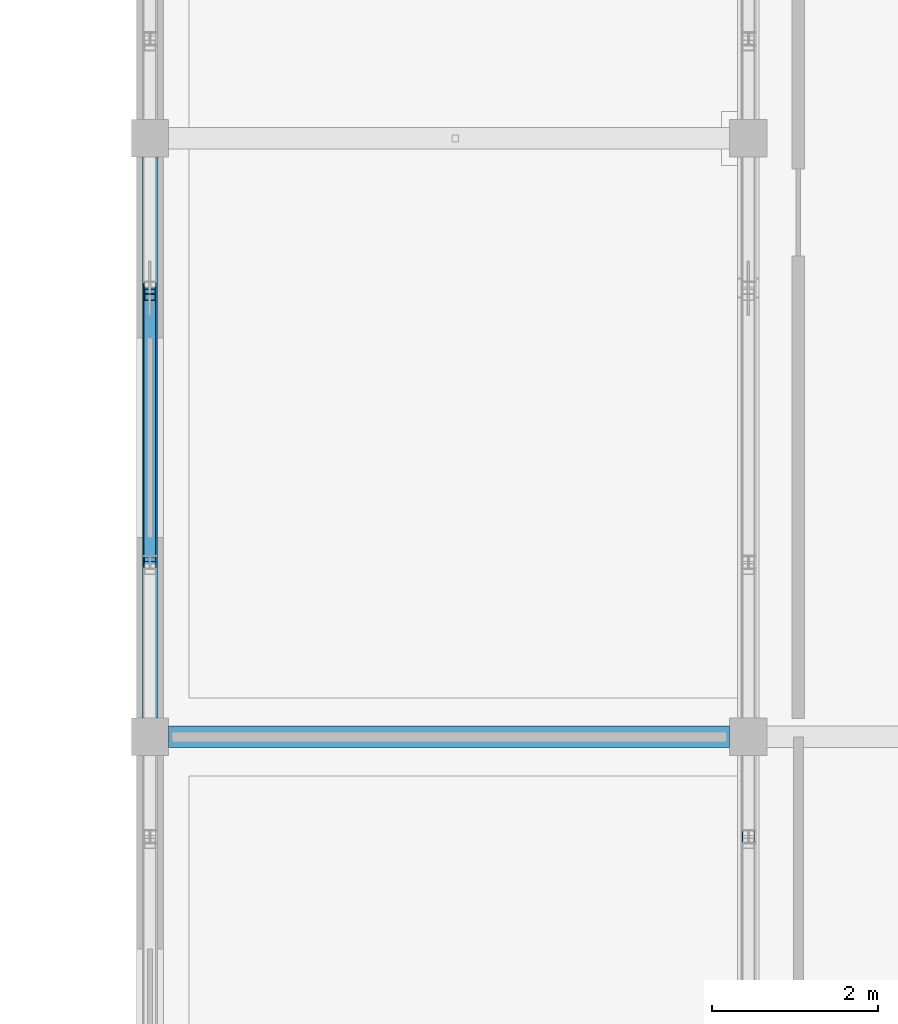
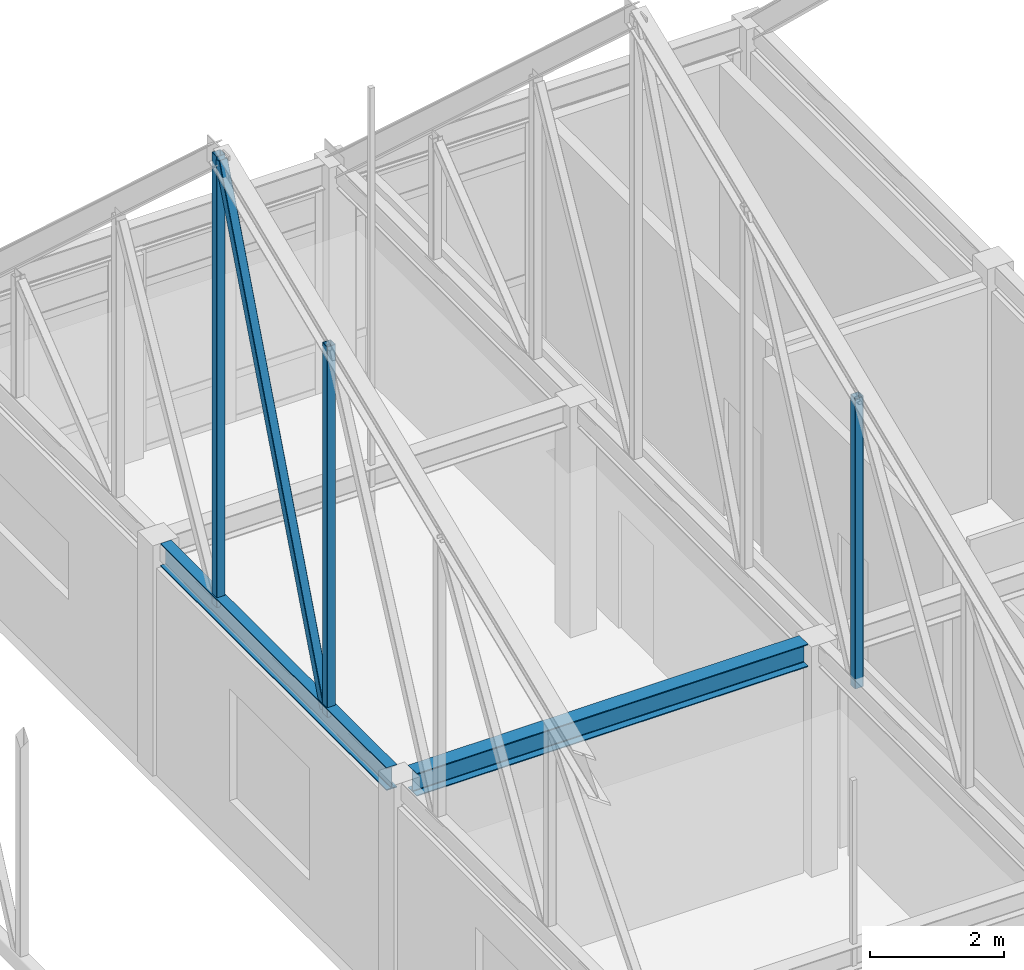
# One storey, part 35 of 136: 4 members, 2 beams.
"""IFC4 building model written with IfcOpenShell, lengths in metres."""

from ifc_helpers import new_model, si_unit, direction, frame, origin, origin_2d, place, context, subcontext, project, spatial, hollow_rectangle, i_section, extrude, material, material_profile, profile_set, type_object, element, save


model = new_model("IFC4")

# Units and contexts
model_context = context("Model", 3, precision=1e-05, world=origin(), true_north=direction((0.0, 1.0)))
body_context = subcontext(model_context, "Body", "Model", "MODEL_VIEW")
ifc_project = project(units=[si_unit("LENGTHUNIT", "METRE"), si_unit("AREAUNIT", "SQUARE_METRE"), si_unit("VOLUMEUNIT", "CUBIC_METRE"), si_unit("PLANEANGLEUNIT", "RADIAN"), si_unit("MASSUNIT", "GRAM", prefix="KILO")], contexts=[model_context])

# Site, building, storey
site_placement = place(None, origin())
site = spatial("IfcSite", under=ifc_project, at=site_placement, CompositionType="ELEMENT")
building_placement = place(site_placement, origin())
building = spatial("IfcBuilding", under=site, at=building_placement, Name="Koriwan Promenade Central Fire Station", CompositionType="ELEMENT")
storey_placement = place(building_placement, frame((0.0, 0.0, 5.39990234375)))
storey = spatial("IfcBuildingStorey", under=building, at=storey_placement, Name="L01", CompositionType="ELEMENT", Elevation=5.39990234375)

# Members
ifc_material_1 = material(Name="Steel ASTM A500 Grade C", Category="steel")
ifc_material_profile_1 = material_profile(ifc_material_1, hollow_rectangle(XDim=0.14990234375, YDim=0.14990234375, WallThickness=0.008056640625, InnerFilletRadius=0.008056640625, OuterFilletRadius=0.01611328125, at=origin_2d()), Name="HSS150x150x8")
ifc_profile_set_1 = profile_set([ifc_material_profile_1], Name="Steel ASTM A500 Grade C")
member_type = type_object("IfcMemberType", Name="Member_STRUT_HSS150x150x8", PredefinedType="STRUT", material=ifc_profile_set_1)
member_1_placement = place(storey_placement, frame((100.800048828125, 59.699951171875, 4.02001953125), z_axis=(0.0, 0.0, 1.0), x_axis=(1.0, 0.0, 0.0)))
element("IfcMember", 1, at=member_1_placement, inside=storey, type_object=member_type, Name="TR_V1_07 vertical 5", PredefinedType="STRUT", context=body_context, shape_type="SweptSolid", body=[
    extrude(hollow_rectangle(XDim=0.14990234375, YDim=0.14990234375, WallThickness=0.008056640625, InnerFilletRadius=0.008056640625, OuterFilletRadius=0.01611328125, at=origin_2d()), origin(), (0.0, 0.0, 1.0), 6.753662109375),
])
member_2_placement = place(storey_placement, frame((100.800048828125, 63.0, 4.02001953125), z_axis=(0.0, 0.0, 1.0), x_axis=(1.0, 0.0, 0.0)))
element("IfcMember", 2, at=member_2_placement, inside=storey, type_object=member_type, Name="TR_V1_07 vertical 6", PredefinedType="STRUT", context=body_context, shape_type="SweptSolid", body=[
    extrude(hollow_rectangle(XDim=0.14990234375, YDim=0.14990234375, WallThickness=0.008056640625, InnerFilletRadius=0.008056640625, OuterFilletRadius=0.01611328125, at=origin_2d()), origin(), (0.0, 0.0, 1.0), 8.220458984375),
])
member_3_placement = place(storey_placement, frame((100.800048828125, 59.780029296875, 4.070068359375), z_axis=(0.0, 0.360647144455, 0.932702330434), x_axis=(-1.0, 0.0, 0.0)))
element("IfcMember", 3, at=member_3_placement, inside=storey, type_object=member_type, Name="TR_V1_07 web diagonal 6", PredefinedType="STRUT", context=body_context, shape_type="SweptSolid", body=[
    extrude(hollow_rectangle(XDim=0.14990234375, YDim=0.14990234375, WallThickness=0.008056640625, InnerFilletRadius=0.008056640625, OuterFilletRadius=0.01611328125, at=origin_2d()), origin(), (0.0, 0.0, 1.0), 8.706298828125),
])
member_4_placement = place(storey_placement, frame((108.0, 56.39990234375, 4.02001953125), z_axis=(0.0, 0.0, 1.0), x_axis=(1.0, 0.0, 0.0)))
element("IfcMember", 4, at=member_4_placement, inside=storey, type_object=member_type, Name="TR_V1_08 vertical 4", PredefinedType="STRUT", context=body_context, shape_type="SweptSolid", body=[
    extrude(hollow_rectangle(XDim=0.14990234375, YDim=0.14990234375, WallThickness=0.008056640625, InnerFilletRadius=0.008056640625, OuterFilletRadius=0.01611328125, at=origin_2d()), origin(), (0.0, 0.0, 1.0), 5.287109375),
])

# Beams
ifc_material_2 = material(Name="Steel ASTM A992 Grade 50", Category="steel")
ifc_material_profile_2 = material_profile(ifc_material_2, i_section(OverallWidth=0.260009765625, OverallDepth=0.4150390625, WebThickness=0.010009765625, FlangeThickness=0.016845703125, FilletRadius=0.01611328125, at=origin_2d()), Name="W410x100")
ifc_profile_set_2 = profile_set([ifc_material_profile_2], Name="Steel ASTM A992 Grade 50")
beam_type_1 = type_object("IfcBeamType", Name="SteelBeam_W410x100", PredefinedType="BEAM", material=ifc_profile_set_2)
beam_1_placement = place(storey_placement, frame((101.02490234375, 57.60009765625, 3.99267578125), z_axis=(1.0, 0.0, 0.0), x_axis=(0.0, 1.0, 0.0)))
element("IfcBeam", 5, at=beam_1_placement, inside=storey, type_object=beam_type_1, Name="V1 L01 girder X-51", PredefinedType="BEAM", context=body_context, shape_type="SweptSolid", body=[
    extrude(i_section(OverallWidth=0.260009765625, OverallDepth=0.4150390625, WebThickness=0.010009765625, FlangeThickness=0.016845703125, FilletRadius=0.01611328125, at=origin_2d()), origin(), (0.0, 0.0, 1.0), 6.75),
])
ifc_material_profile_3 = material_profile(ifc_material_2, i_section(OverallWidth=0.180908203125, OverallDepth=0.4169921875, WebThickness=0.010986328125, FlangeThickness=0.018310546875, FilletRadius=0.01611328125, at=origin_2d()), Name="W410x85")
ifc_profile_set_3 = profile_set([ifc_material_profile_3], Name="Steel ASTM A992 Grade 50")
beam_type_2 = type_object("IfcBeamType", Name="SteelBeam_W410x85", PredefinedType="BEAM", material=ifc_profile_set_3)
beam_2_placement = place(storey_placement, frame((100.800048828125, 57.824951171875, 3.99169921875), z_axis=(0.0, 1.0, 0.0), x_axis=(-1.0, 0.0, 0.0)))
element("IfcBeam", 6, at=beam_2_placement, inside=storey, type_object=beam_type_2, Name="V1 L01 girder Y-72", PredefinedType="BEAM", context=body_context, shape_type="SweptSolid", body=[
    extrude(i_section(OverallWidth=0.180908203125, OverallDepth=0.4169921875, WebThickness=0.010986328125, FlangeThickness=0.018310546875, FilletRadius=0.01611328125, at=origin_2d()), origin(), (0.0, 0.0, 1.0), 6.75),
])

save(model, "model.ifc")
